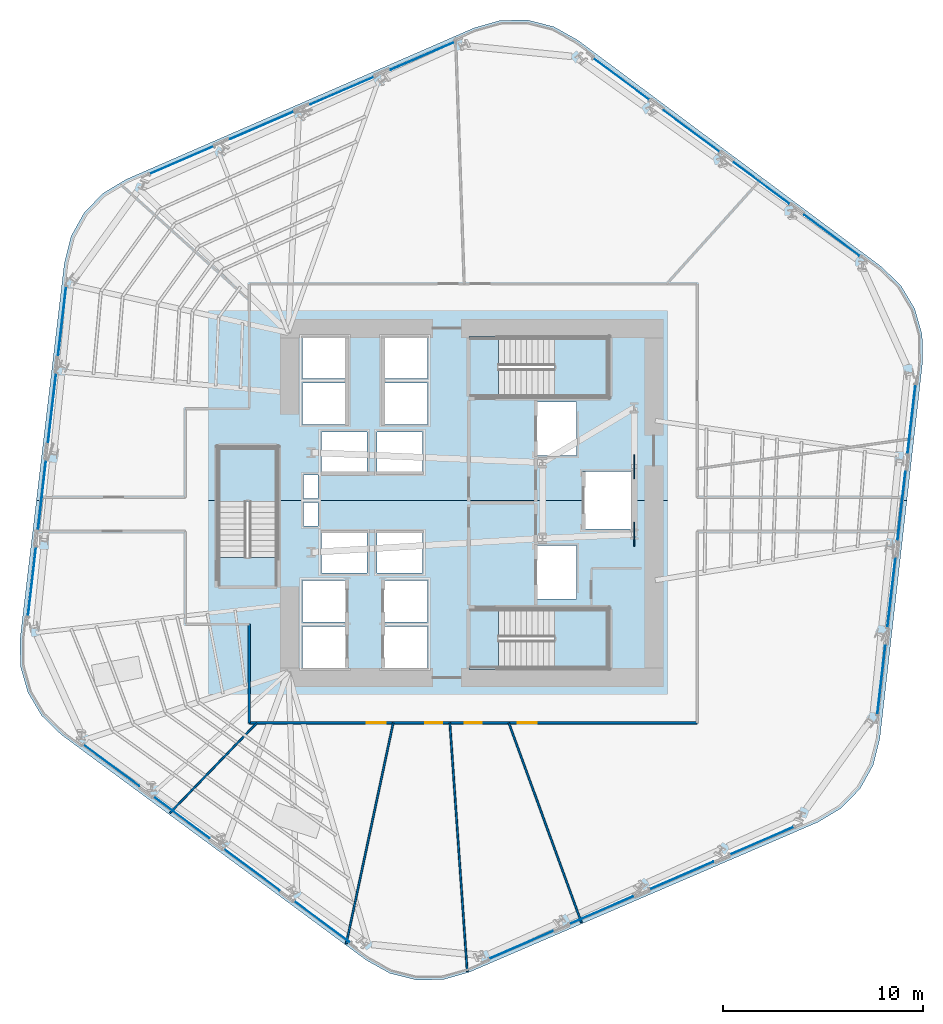
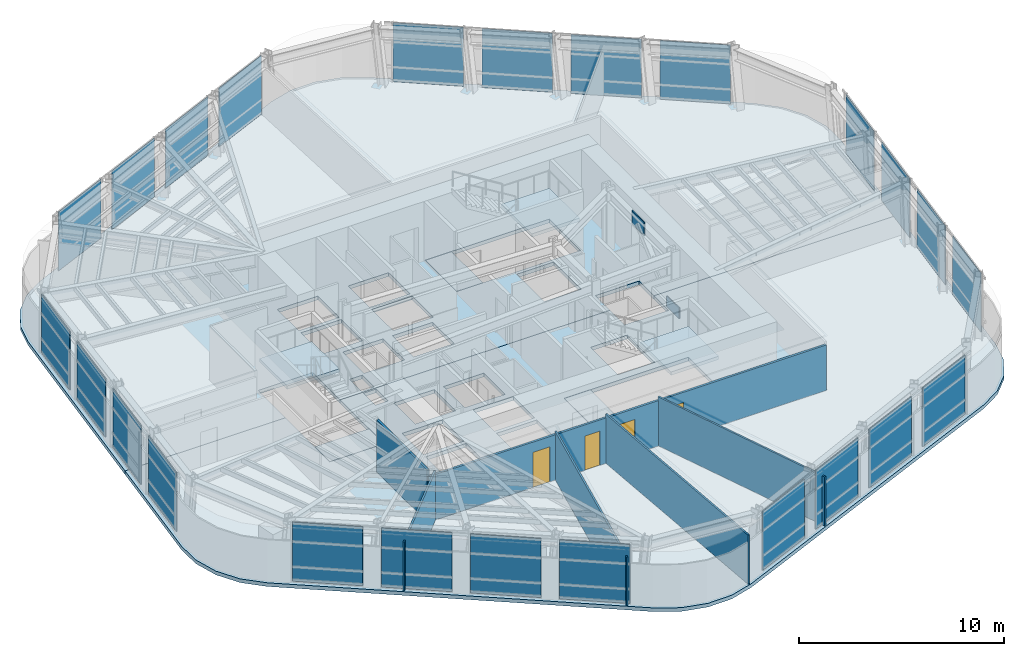
# One storey, part 8 of 16: 26 plates, 8 slabs, 6 walls, 4 doors, 4 openings, 9 elements without a shape of their own.
"""IFC4 building model written with IfcOpenShell, lengths in metres."""

from ifc_helpers import new_model, si_unit, direction, frame, frame_2d, origin, origin_2d, place, context, subcontext, project, spatial, polyline, rectangle, outline, extrude, material, layer, layer_set, type_object, element, fill, aggregate, save


model = new_model("IFC4")

# Units and contexts
model_context = context("Model", 3, precision=1e-05, world=origin(), true_north=direction((0.0, 1.0)))
body_context = subcontext(model_context, "Body", "Model", "MODEL_VIEW")
ifc_project = project(units=[si_unit("LENGTHUNIT", "METRE"), si_unit("AREAUNIT", "SQUARE_METRE"), si_unit("VOLUMEUNIT", "CUBIC_METRE"), si_unit("PLANEANGLEUNIT", "RADIAN"), si_unit("MASSUNIT", "GRAM", prefix="KILO")], contexts=[model_context])

# Site, building, storey
site_placement = place(None, origin())
site = spatial("IfcSite", under=ifc_project, at=site_placement, CompositionType="ELEMENT")
building_placement = place(site_placement, origin())
building = spatial("IfcBuilding", under=site, at=building_placement, Name="Valkerne Bourse Tower", CompositionType="ELEMENT")
storey_placement = place(building_placement, frame((0.0, 0.0, 123.800048828125)))
storey = spatial("IfcBuildingStorey", under=building, at=storey_placement, Name="L31", CompositionType="ELEMENT", Elevation=123.800048828125)

# Curtain wall, plates
ifc_material_1 = material(Name="Aluminium AA 6063-T6", Category="aluminium")
ifc_layer_1 = layer(ifc_material_1, 0.22998046875)
ifc_layer_set_1 = layer_set([ifc_layer_1], Name="Aluminium AA 6063-T6")
curtain_wall_type = type_object("IfcCurtainWallType", Name="CW-02", PredefinedType="NOTDEFINED", material=ifc_layer_set_1)
curtain_wall_1_placement = place(storey_placement, origin())
curtain_wall_1 = element("IfcCurtainWall", 1, at=curtain_wall_1_placement, inside=storey, type_object=curtain_wall_type, Name="L31 Hexagonal Stick Curtain Wall Face 1", PredefinedType="NOTDEFINED")
ifc_material_2 = material(Name="Glass IGU Low-E Double Glazed", Category="glass")
ifc_layer_2 = layer(ifc_material_2, 0.031982421875)
ifc_layer_set_2 = layer_set([ifc_layer_2], Name="Glass IGU Low-E Double Glazed")
plate_type_1 = type_object("IfcPlateType", Name="CW-PNL-IGU-32", PredefinedType="CURTAIN_PANEL", material=ifc_layer_set_2)
plate_1_placement = place(storey_placement, frame((64.853759765625, 40.28271484375, 0.030029296875), z_axis=(0.0, 0.0, 1.0), x_axis=(-0.802819358075, 0.596222339652, 0.0)))
plate_1 = element("IfcPlate", 2, at=plate_1_placement, type_object=plate_type_1, Name="CW-L31-F1 Curtain Panel 00", PredefinedType="CURTAIN_PANEL", context=body_context, shape_type="SweptSolid", body=[
    extrude(rectangle(XDim=3.462890625, YDim=0.031982421875, at=origin_2d()), origin(), (0.0, 0.0, 1.0), 3.52001953125),
])
plate_2_placement = place(storey_placement, frame((61.335205078125, 42.89599609375, 0.030029296875), z_axis=(0.0, 0.0, 1.0), x_axis=(-0.802816547758, 0.596226123753, 0.0)))
plate_2 = element("IfcPlate", 3, at=plate_2_placement, type_object=plate_type_1, Name="CW-L31-F1 Curtain Panel 01", PredefinedType="CURTAIN_PANEL", context=body_context, shape_type="SweptSolid", body=[
    extrude(rectangle(XDim=3.462890625, YDim=0.031982421875, at=origin_2d()), origin(), (0.0, 0.0, 1.0), 3.52001953125),
])
plate_3_placement = place(storey_placement, frame((57.81640625, 45.50927734375, 0.030029296875), z_axis=(0.0, 0.0, 1.0), x_axis=(-0.802819358075, 0.596222339652, 0.0)))
plate_3 = element("IfcPlate", 4, at=plate_3_placement, type_object=plate_type_1, Name="CW-L31-F1 Curtain Panel 02", PredefinedType="CURTAIN_PANEL", context=body_context, shape_type="SweptSolid", body=[
    extrude(rectangle(XDim=3.462890625, YDim=0.031982421875, at=origin_2d()), origin(), (0.0, 0.0, 1.0), 3.52001953125),
])
plate_4_placement = place(storey_placement, frame((54.297607421875, 48.122314453125, 0.030029296875), z_axis=(0.0, 0.0, 1.0), x_axis=(-0.802816547758, 0.596226123753, 0.0)))
plate_4 = element("IfcPlate", 5, at=plate_4_placement, type_object=plate_type_1, Name="CW-L31-F1 Curtain Panel 03", PredefinedType="CURTAIN_PANEL", context=body_context, shape_type="SweptSolid", body=[
    extrude(rectangle(XDim=3.462890625, YDim=0.031982421875, at=origin_2d()), origin(), (0.0, 0.0, 1.0), 3.52001953125),
])
aggregate(curtain_wall_1, [plate_1, plate_2, plate_3, plate_4])

curtain_wall_2_placement = place(storey_placement, origin())
curtain_wall_2 = element("IfcCurtainWall", 6, at=curtain_wall_2_placement, inside=storey, type_object=curtain_wall_type, Name="L31 Hexagonal Stick Curtain Wall Face 2", PredefinedType="NOTDEFINED")
plate_5_placement = place(storey_placement, frame((44.32373046875, 49.2763671875, 0.030029296875), z_axis=(0.0, 0.0, 1.0), x_axis=(-0.917762208724, -0.397130366805, 0.0)))
plate_5 = element("IfcPlate", 7, at=plate_5_placement, type_object=plate_type_1, Name="CW-L31-F2 Curtain Panel 00", PredefinedType="CURTAIN_PANEL", context=body_context, shape_type="SweptSolid", body=[
    extrude(rectangle(XDim=3.462890625, YDim=0.031982421875, at=origin_2d()), origin(), (0.0, 0.0, 1.0), 3.52001953125),
])
plate_6_placement = place(storey_placement, frame((40.30126953125, 47.535888671875, 0.030029296875), z_axis=(0.0, 0.0, 1.0), x_axis=(-0.917753892922, -0.397149583944, 0.0)))
plate_6 = element("IfcPlate", 8, at=plate_6_placement, type_object=plate_type_1, Name="CW-L31-F2 Curtain Panel 01", PredefinedType="CURTAIN_PANEL", context=body_context, shape_type="SweptSolid", body=[
    extrude(rectangle(XDim=3.462890625, YDim=0.031982421875, at=origin_2d()), origin(), (0.0, 0.0, 1.0), 3.52001953125),
])
plate_7_placement = place(storey_placement, frame((36.27880859375, 45.795166015625, 0.030029296875), z_axis=(0.0, 0.0, 1.0), x_axis=(-0.917757491449, -0.397141268177, 0.0)))
plate_7 = element("IfcPlate", 9, at=plate_7_placement, type_object=plate_type_1, Name="CW-L31-F2 Curtain Panel 02", PredefinedType="CURTAIN_PANEL", context=body_context, shape_type="SweptSolid", body=[
    extrude(rectangle(XDim=3.463134765625, YDim=0.031982421875, at=origin_2d()), origin(), (0.0, 0.0, 1.0), 3.52001953125),
])
plate_8_placement = place(storey_placement, frame((32.256103515625, 44.05419921875, 0.030029296875), z_axis=(0.0, 0.0, 1.0), x_axis=(-0.917753892922, -0.397149583944, 0.0)))
plate_8 = element("IfcPlate", 10, at=plate_8_placement, type_object=plate_type_1, Name="CW-L31-F2 Curtain Panel 03", PredefinedType="CURTAIN_PANEL", context=body_context, shape_type="SweptSolid", body=[
    extrude(rectangle(XDim=3.462890625, YDim=0.031982421875, at=origin_2d()), origin(), (0.0, 0.0, 1.0), 3.52001953125),
])
aggregate(curtain_wall_2, [plate_5, plate_6, plate_7, plate_8])

curtain_wall_3_placement = place(storey_placement, origin())
curtain_wall_3 = element("IfcCurtainWall", 11, at=curtain_wall_3_placement, inside=storey, type_object=curtain_wall_type, Name="L31 Hexagonal Stick Curtain Wall Face 3", PredefinedType="NOTDEFINED")
plate_9_placement = place(storey_placement, frame((26.27001953125, 35.993896484375, 0.030029296875), z_axis=(0.0, 0.0, 1.0), x_axis=(-0.114942781596, -0.993372114043, 0.0)))
plate_9 = element("IfcPlate", 12, at=plate_9_placement, type_object=plate_type_1, Name="CW-L31-F3 Curtain Panel 00", PredefinedType="CURTAIN_PANEL", context=body_context, shape_type="SweptSolid", body=[
    extrude(rectangle(XDim=3.463134765625, YDim=0.031982421875, at=origin_2d()), origin(), (0.0, 0.0, 1.0), 3.52001953125),
])
plate_10_placement = place(storey_placement, frame((25.76611328125, 31.639892578125, 0.030029296875), z_axis=(0.0, 0.0, 1.0), x_axis=(-0.114945386711, -0.993371812603, 0.0)))
plate_10 = element("IfcPlate", 13, at=plate_10_placement, type_object=plate_type_1, Name="CW-L31-F3 Curtain Panel 01", PredefinedType="CURTAIN_PANEL", context=body_context, shape_type="SweptSolid", body=[
    extrude(rectangle(XDim=3.462890625, YDim=0.031982421875, at=origin_2d()), origin(), (0.0, 0.0, 1.0), 3.52001953125),
])
plate_11_placement = place(storey_placement, frame((25.262451171875, 27.285888671875, 0.030029296875), z_axis=(0.0, 0.0, 1.0), x_axis=(-0.114920267773, -0.993374718852, 0.0)))
plate_11 = element("IfcPlate", 14, at=plate_11_placement, type_object=plate_type_1, Name="CW-L31-F3 Curtain Panel 02", PredefinedType="CURTAIN_PANEL", context=body_context, shape_type="SweptSolid", body=[
    extrude(rectangle(XDim=3.463134765625, YDim=0.031982421875, at=origin_2d()), origin(), (0.0, 0.0, 1.0), 3.52001953125),
])
plate_12_placement = place(storey_placement, frame((24.758544921875, 22.931884765625, 0.030029296875), z_axis=(0.0, 0.0, 1.0), x_axis=(-0.114945386711, -0.993371812603, 0.0)))
plate_12 = element("IfcPlate", 15, at=plate_12_placement, type_object=plate_type_1, Name="CW-L31-F3 Curtain Panel 03", PredefinedType="CURTAIN_PANEL", context=body_context, shape_type="SweptSolid", body=[
    extrude(rectangle(XDim=3.462890625, YDim=0.031982421875, at=origin_2d()), origin(), (0.0, 0.0, 1.0), 3.52001953125),
])
aggregate(curtain_wall_3, [plate_9, plate_10, plate_11, plate_12])

curtain_wall_4_placement = place(storey_placement, origin())
curtain_wall_4 = element("IfcCurtainWall", 16, at=curtain_wall_4_placement, inside=storey, type_object=curtain_wall_type, Name="L31 Hexagonal Stick Curtain Wall Face 4", PredefinedType="NOTDEFINED")
plate_13_placement = place(storey_placement, frame((28.74609375, 13.71728515625, 0.030029296875), z_axis=(0.0, 0.0, 1.0), x_axis=(0.802819358075, -0.596222339652, 0.0)))
plate_13 = element("IfcPlate", 17, at=plate_13_placement, type_object=plate_type_1, Name="CW-L31-F4 Curtain Panel 00", PredefinedType="CURTAIN_PANEL", context=body_context, shape_type="SweptSolid", body=[
    extrude(rectangle(XDim=3.462890625, YDim=0.031982421875, at=origin_2d()), origin(), (0.0, 0.0, 1.0), 3.52001953125),
])
plate_14_placement = place(storey_placement, frame((32.264892578125, 11.10400390625, 0.030029296875), z_axis=(0.0, 0.0, 1.0), x_axis=(0.802816547758, -0.596226123753, 0.0)))
plate_14 = element("IfcPlate", 18, at=plate_14_placement, type_object=plate_type_1, Name="CW-L31-F4 Curtain Panel 01", PredefinedType="CURTAIN_PANEL", context=body_context, shape_type="SweptSolid", body=[
    extrude(rectangle(XDim=3.462890625, YDim=0.031982421875, at=origin_2d()), origin(), (0.0, 0.0, 1.0), 3.52001953125),
])
plate_15_placement = place(storey_placement, frame((35.78369140625, 8.490966796875, 0.030029296875), z_axis=(0.0, 0.0, 1.0), x_axis=(0.802819358075, -0.596222339652, 0.0)))
plate_15 = element("IfcPlate", 19, at=plate_15_placement, type_object=plate_type_1, Name="CW-L31-F4 Curtain Panel 02", PredefinedType="CURTAIN_PANEL", context=body_context, shape_type="SweptSolid", body=[
    extrude(rectangle(XDim=3.462890625, YDim=0.031982421875, at=origin_2d()), origin(), (0.0, 0.0, 1.0), 3.52001953125),
])
plate_16_placement = place(storey_placement, frame((39.302490234375, 5.877685546875, 0.030029296875), z_axis=(0.0, 0.0, 1.0), x_axis=(0.802816547758, -0.596226123753, 0.0)))
plate_16 = element("IfcPlate", 20, at=plate_16_placement, type_object=plate_type_1, Name="CW-L31-F4 Curtain Panel 03", PredefinedType="CURTAIN_PANEL", context=body_context, shape_type="SweptSolid", body=[
    extrude(rectangle(XDim=3.462890625, YDim=0.031982421875, at=origin_2d()), origin(), (0.0, 0.0, 1.0), 3.52001953125),
])
aggregate(curtain_wall_4, [plate_13, plate_14, plate_15, plate_16])

curtain_wall_5_placement = place(storey_placement, origin())
curtain_wall_5 = element("IfcCurtainWall", 21, at=curtain_wall_5_placement, inside=storey, type_object=curtain_wall_type, Name="L31 Hexagonal Stick Curtain Wall Face 5", PredefinedType="NOTDEFINED")
plate_17_placement = place(storey_placement, frame((49.276123046875, 4.7236328125, 0.030029296875), z_axis=(0.0, 0.0, 1.0), x_axis=(0.917762208724, 0.397130366805, 0.0)))
plate_17 = element("IfcPlate", 22, at=plate_17_placement, type_object=plate_type_1, Name="CW-L31-F5 Curtain Panel 00", PredefinedType="CURTAIN_PANEL", context=body_context, shape_type="SweptSolid", body=[
    extrude(rectangle(XDim=3.462890625, YDim=0.031982421875, at=origin_2d()), origin(), (0.0, 0.0, 1.0), 3.52001953125),
])
plate_18_placement = place(storey_placement, frame((53.298583984375, 6.464111328125, 0.030029296875), z_axis=(0.0, 0.0, 1.0), x_axis=(0.917753892922, 0.397149583944, 0.0)))
plate_18 = element("IfcPlate", 23, at=plate_18_placement, type_object=plate_type_1, Name="CW-L31-F5 Curtain Panel 01", PredefinedType="CURTAIN_PANEL", context=body_context, shape_type="SweptSolid", body=[
    extrude(rectangle(XDim=3.462890625, YDim=0.031982421875, at=origin_2d()), origin(), (0.0, 0.0, 1.0), 3.52001953125),
])
plate_19_placement = place(storey_placement, frame((57.3212890625, 8.205078125, 0.030029296875), z_axis=(0.0, 0.0, 1.0), x_axis=(0.917757491449, 0.397141268177, 0.0)))
plate_19 = element("IfcPlate", 24, at=plate_19_placement, type_object=plate_type_1, Name="CW-L31-F5 Curtain Panel 02", PredefinedType="CURTAIN_PANEL", context=body_context, shape_type="SweptSolid", body=[
    extrude(rectangle(XDim=3.463134765625, YDim=0.031982421875, at=origin_2d()), origin(), (0.0, 0.0, 1.0), 3.52001953125),
])
plate_20_placement = place(storey_placement, frame((61.34375, 9.94580078125, 0.030029296875), z_axis=(0.0, 0.0, 1.0), x_axis=(0.917753892922, 0.397149583944, 0.0)))
plate_20 = element("IfcPlate", 25, at=plate_20_placement, type_object=plate_type_1, Name="CW-L31-F5 Curtain Panel 03", PredefinedType="CURTAIN_PANEL", context=body_context, shape_type="SweptSolid", body=[
    extrude(rectangle(XDim=3.462890625, YDim=0.031982421875, at=origin_2d()), origin(), (0.0, 0.0, 1.0), 3.52001953125),
])
aggregate(curtain_wall_5, [plate_17, plate_18, plate_19, plate_20])

curtain_wall_6_placement = place(storey_placement, origin())
curtain_wall_6 = element("IfcCurtainWall", 26, at=curtain_wall_6_placement, inside=storey, type_object=curtain_wall_type, Name="L31 Hexagonal Stick Curtain Wall Face 6", PredefinedType="NOTDEFINED")
plate_21_placement = place(storey_placement, frame((67.330078125, 18.006103515625, 0.030029296875), z_axis=(0.0, 0.0, 1.0), x_axis=(0.114942781596, 0.993372114043, 0.0)))
plate_21 = element("IfcPlate", 27, at=plate_21_placement, type_object=plate_type_1, Name="CW-L31-F6 Curtain Panel 00", PredefinedType="CURTAIN_PANEL", context=body_context, shape_type="SweptSolid", body=[
    extrude(rectangle(XDim=3.463134765625, YDim=0.031982421875, at=origin_2d()), origin(), (0.0, 0.0, 1.0), 3.52001953125),
])
plate_22_placement = place(storey_placement, frame((67.833740234375, 22.360107421875, 0.030029296875), z_axis=(0.0, 0.0, 1.0), x_axis=(0.114945386711, 0.993371812603, 0.0)))
plate_22 = element("IfcPlate", 28, at=plate_22_placement, type_object=plate_type_1, Name="CW-L31-F6 Curtain Panel 01", PredefinedType="CURTAIN_PANEL", context=body_context, shape_type="SweptSolid", body=[
    extrude(rectangle(XDim=3.462890625, YDim=0.031982421875, at=origin_2d()), origin(), (0.0, 0.0, 1.0), 3.52001953125),
])
plate_23_placement = place(storey_placement, frame((68.337646484375, 26.714111328125, 0.030029296875), z_axis=(0.0, 0.0, 1.0), x_axis=(0.114920267773, 0.993374718852, 0.0)))
plate_23 = element("IfcPlate", 29, at=plate_23_placement, type_object=plate_type_1, Name="CW-L31-F6 Curtain Panel 02", PredefinedType="CURTAIN_PANEL", context=body_context, shape_type="SweptSolid", body=[
    extrude(rectangle(XDim=3.463134765625, YDim=0.031982421875, at=origin_2d()), origin(), (0.0, 0.0, 1.0), 3.52001953125),
])
plate_24_placement = place(storey_placement, frame((68.84130859375, 31.068115234375, 0.030029296875), z_axis=(0.0, 0.0, 1.0), x_axis=(0.114945386711, 0.993371812603, 0.0)))
plate_24 = element("IfcPlate", 30, at=plate_24_placement, type_object=plate_type_1, Name="CW-L31-F6 Curtain Panel 03", PredefinedType="CURTAIN_PANEL", context=body_context, shape_type="SweptSolid", body=[
    extrude(rectangle(XDim=3.462890625, YDim=0.031982421875, at=origin_2d()), origin(), (0.0, 0.0, 1.0), 3.52001953125),
])
aggregate(curtain_wall_6, [plate_21, plate_22, plate_23, plate_24])

# Plates
ifc_material_3 = material(Name="Steel ASTM A572 Grade 50", Category="steel")
ifc_layer_3 = layer(ifc_material_3, 0.06005859375)
ifc_layer_set_3 = layer_set([ifc_layer_3], Name="Steel ASTM A572 Grade 50")
plate_type_2 = type_object("IfcPlateType", Name="PLT-GUS-60", PredefinedType="SHEET", material=ifc_layer_set_3)
for number, where, z_axis, x_axis, name in (
    (31, (54.949951171875, 25.300048828125, -0.18017578125), (0.0, 0.0, 1.0), (0.0, 1.0, 0.0), "L31 Brace Node Gusset Plate PLT-GUS-END-L31-378"),
    (32, (54.949951171875, 28.699951171875, 2.8740234375), (0.0, 0.0, 1.0), (0.0, 1.0, 0.0), "L31 Brace Node Gusset Plate PLT-GUS-END-L31-379"),
):
    element("IfcPlate", number, at=place(storey_placement, frame(where, z_axis=z_axis, x_axis=x_axis)), inside=storey, type_object=plate_type_2, Name=name, PredefinedType="SHEET", context=body_context, shape_type="SweptSolid", body=[
        extrude(rectangle(XDim=1.199951171875, YDim=0.06005859375, at=origin_2d()), origin(), (0.0, 0.0, 1.0), 0.800048828125),
    ])

# Slabs
ifc_material_4 = material(Name="Concrete C40/50", Category="concrete")
ifc_layer_4 = layer(ifc_material_4, 0.25)
ifc_layer_set_4 = layer_set([ifc_layer_4], Name="Concrete C40/50")
slab_type_1 = type_object("IfcSlabType", Name="SLB-RMP-LND-250", PredefinedType="LANDING", material=ifc_layer_set_4)
slab_1_placement = place(storey_placement, frame((0.0, 0.0, -0.219970703125)))
element("IfcSlab", 33, at=slab_1_placement, inside=storey, type_object=slab_type_1, Name="L31 ST-1 Floor Landing Slab", PredefinedType="LANDING", context=body_context, shape_type="SweptSolid", body=[
    extrude(outline(polyline([(46.669921875, 18.5400390625), (48.14990234375, 18.5400390625), (48.14990234375, 21.610107421875), (46.669921875, 21.610107421875), (46.669921875, 18.5400390625)])), origin(), (0.0, 0.0, 1.0), 0.219970703125),
])
slab_2_placement = place(storey_placement, frame((0.0, 0.0, -0.219970703125)))
element("IfcSlab", 34, at=slab_2_placement, inside=storey, type_object=slab_type_1, Name="L31 ST-2 Floor Landing Slab", PredefinedType="LANDING", context=body_context, shape_type="SweptSolid", body=[
    extrude(outline(polyline([(46.669921875, 32.139892578125), (48.14990234375, 32.139892578125), (48.14990234375, 35.2099609375), (46.669921875, 35.2099609375), (46.669921875, 32.139892578125)])), origin(), (0.0, 0.0, 1.0), 0.219970703125),
])
slab_3_placement = place(storey_placement, frame((0.0, 0.0, -0.219970703125)))
element("IfcSlab", 35, at=slab_3_placement, inside=storey, type_object=slab_type_1, Name="L31 ST-3 Floor Landing Slab", PredefinedType="LANDING", context=body_context, shape_type="SweptSolid", body=[
    extrude(outline(polyline([(37.110107421875, 22.669921875), (37.110107421875, 24.14990234375), (34.0400390625, 24.14990234375), (34.0400390625, 22.669921875), (37.110107421875, 22.669921875)])), origin(), (0.0, 0.0, 1.0), 0.219970703125),
])

# Stair, slab
stair_type = type_object("IfcStairType", Name="ST-CORE-1400", PredefinedType="HALF_TURN_STAIR", material=ifc_material_4)
stair_1_placement = place(storey_placement, origin())
stair_1 = element("IfcStair", 36, at=stair_1_placement, inside=storey, type_object=stair_type, Name="L31 ST-1", PredefinedType="HALF_TURN_STAIR")
ifc_layer_5 = layer(ifc_material_4, 0.179931640625)
ifc_layer_set_5 = layer_set([ifc_layer_5], Name="Concrete C40/50")
slab_type_2 = type_object("IfcSlabType", Name="SLB-ST-LND-180", PredefinedType="LANDING", material=ifc_layer_set_5)
slab_4_placement = place(storey_placement, frame((0.0, 0.0, 1.699951171875)))
slab_4 = element("IfcSlab", 37, at=slab_4_placement, type_object=slab_type_2, Name="ST-1 landing 1", PredefinedType="LANDING", context=body_context, shape_type="SweptSolid", body=[
    extrude(outline(polyline([(50.949951171875, 18.60009765625), (53.64990234375, 18.60009765625), (53.64990234375, 21.550048828125), (50.949951171875, 21.550048828125), (50.949951171875, 18.60009765625)])), origin(), (0.0, 0.0, 1.0), 0.199951171875),
])
aggregate(stair_1, [slab_4])

stair_2_placement = place(storey_placement, origin())
stair_2 = element("IfcStair", 38, at=stair_2_placement, inside=storey, type_object=stair_type, Name="L31 ST-2", PredefinedType="HALF_TURN_STAIR")
slab_5_placement = place(storey_placement, frame((0.0, 0.0, 1.699951171875)))
slab_5 = element("IfcSlab", 39, at=slab_5_placement, type_object=slab_type_2, Name="ST-2 landing 1", PredefinedType="LANDING", context=body_context, shape_type="SweptSolid", body=[
    extrude(outline(polyline([(50.949951171875, 32.199951171875), (53.64990234375, 32.199951171875), (53.64990234375, 35.14990234375), (50.949951171875, 35.14990234375), (50.949951171875, 32.199951171875)])), origin(), (0.0, 0.0, 1.0), 0.199951171875),
])
aggregate(stair_2, [slab_5])

stair_3_placement = place(storey_placement, origin())
stair_3 = element("IfcStair", 40, at=stair_3_placement, inside=storey, type_object=stair_type, Name="L31 ST-3", PredefinedType="HALF_TURN_STAIR")
slab_6_placement = place(storey_placement, frame((0.0, 0.0, 1.699951171875)))
slab_6 = element("IfcSlab", 41, at=slab_6_placement, type_object=slab_type_2, Name="ST-3 landing 1", PredefinedType="LANDING", context=body_context, shape_type="SweptSolid", body=[
    extrude(outline(polyline([(37.050048828125, 26.949951171875), (37.050048828125, 29.64990234375), (34.10009765625, 29.64990234375), (34.10009765625, 26.949951171875), (37.050048828125, 26.949951171875)])), origin(), (0.0, 0.0, 1.0), 0.199951171875),
])
aggregate(stair_3, [slab_6])

# Slabs
ifc_layer_6 = layer(ifc_material_4, 0.219970703125)
ifc_layer_set_6 = layer_set([ifc_layer_6], Name="Concrete C40/50")
slab_type_3 = type_object("IfcSlabType", Name="SLB-TOW-220", PredefinedType="FLOOR", material=ifc_layer_set_6)
slab_7_placement = place(storey_placement, frame((0.0, 0.0, -0.219970703125)))
element("IfcSlab", 42, at=slab_7_placement, inside=storey, type_object=slab_type_3, Name="L31 Hexagonal Composite Floor Slab S", PredefinedType="FLOOR", context=body_context, shape_type="SweptSolid", body=[
    extrude(outline(polyline([(66.92236328125, 13.732421875), (66.26220703125, 12.546142578125), (65.3173828125, 11.5712890625), (64.152587890625, 10.874267578125), (46.681884765625, 3.35791015625), (45.376220703125, 2.986083984375), (44.01904296875, 2.96484375), (42.702392578125, 3.29541015625), (41.516357421875, 3.955810546875), (26.223388671875, 15.2626953125), (25.248779296875, 16.20751953125), (24.551513671875, 17.372314453125), (24.1796875, 18.677734375), (24.158203125, 20.03515625), (24.979248046875, 27.0), (34.034912109375, 27.0), (34.034912109375, 22.6650390625), (37.114990234375, 22.6650390625), (37.114990234375, 27.0), (52.360107421875, 27.0), (52.360107421875, 25.56005859375), (54.840087890625, 25.56005859375), (54.840087890625, 27.0), (68.610107421875, 27.0), (67.2529296875, 15.048828125), (66.92236328125, 13.732421875)]), holes=[polyline([(40.590087890625, 20.68994140625), (38.31005859375, 20.68994140625), (38.31005859375, 18.610107421875), (40.590087890625, 18.610107421875), (40.590087890625, 20.68994140625)]), polyline([(40.590087890625, 22.989990234375), (38.31005859375, 22.989990234375), (38.31005859375, 20.909912109375), (40.590087890625, 20.909912109375), (40.590087890625, 22.989990234375)]), polyline([(41.5400390625, 25.43994140625), (39.260009765625, 25.43994140625), (39.260009765625, 23.360107421875), (41.5400390625, 23.360107421875), (41.5400390625, 25.43994140625)]), polyline([(39.10009765625, 25.72998046875), (39.10009765625, 26.89990234375), (38.3798828125, 26.89990234375), (38.3798828125, 25.72998046875), (39.10009765625, 25.72998046875)]), polyline([(44.590087890625, 20.68994140625), (42.31005859375, 20.68994140625), (42.31005859375, 18.610107421875), (44.590087890625, 18.610107421875), (44.590087890625, 20.68994140625)]), polyline([(53.675048828125, 21.614990234375), (46.6650390625, 21.614990234375), (46.6650390625, 18.534912109375), (53.675048828125, 18.534912109375), (53.675048828125, 21.614990234375)]), polyline([(44.590087890625, 22.989990234375), (42.31005859375, 22.989990234375), (42.31005859375, 20.909912109375), (44.590087890625, 20.909912109375), (44.590087890625, 22.989990234375)]), polyline([(52.0400390625, 22.06005859375), (52.0400390625, 24.739990234375), (49.9599609375, 24.739990234375), (49.9599609375, 22.06005859375), (52.0400390625, 22.06005859375)]), polyline([(44.340087890625, 23.360107421875), (44.340087890625, 25.43994140625), (42.06005859375, 25.43994140625), (42.06005859375, 23.360107421875), (44.340087890625, 23.360107421875)])]), origin(), (0.0, 0.0, 1.0), 0.219970703125),
])
slab_8_placement = place(storey_placement, frame((0.0, 0.0, -0.219970703125)))
element("IfcSlab", 43, at=slab_8_placement, inside=storey, type_object=slab_type_3, Name="L31 Hexagonal Composite Floor Slab N", PredefinedType="FLOOR", context=body_context, shape_type="SweptSolid", body=[
    extrude(outline(polyline([(26.384521484375, 38.92333984375), (26.715087890625, 40.239990234375), (27.37548828125, 41.426025390625), (28.320068359375, 42.40087890625), (29.48486328125, 43.097900390625), (46.923583984375, 50.6884765625), (48.22900390625, 51.060302734375), (49.586181640625, 51.08154296875), (50.90283203125, 50.7509765625), (52.089111328125, 50.0908203125), (67.33349609375, 38.71875), (68.30859375, 37.77392578125), (69.005615234375, 36.609130859375), (69.37744140625, 35.3037109375), (69.398681640625, 33.9462890625), (68.610107421875, 27.0), (54.840087890625, 27.0), (54.840087890625, 28.43994140625), (52.360107421875, 28.43994140625), (52.360107421875, 27.0), (37.114990234375, 27.0), (37.114990234375, 29.675048828125), (34.034912109375, 29.675048828125), (34.034912109375, 27.0), (24.979248046875, 27.0), (26.384521484375, 38.92333984375)]), holes=[polyline([(39.10009765625, 28.27001953125), (38.3798828125, 28.27001953125), (38.3798828125, 27.10009765625), (39.10009765625, 27.10009765625), (39.10009765625, 28.27001953125)]), polyline([(41.5400390625, 30.43994140625), (39.260009765625, 30.43994140625), (39.260009765625, 28.360107421875), (41.5400390625, 28.360107421875), (41.5400390625, 30.43994140625)]), polyline([(44.340087890625, 30.43994140625), (42.06005859375, 30.43994140625), (42.06005859375, 28.360107421875), (44.340087890625, 28.360107421875), (44.340087890625, 30.43994140625)]), polyline([(40.590087890625, 30.81005859375), (40.590087890625, 32.889892578125), (38.31005859375, 32.889892578125), (38.31005859375, 30.81005859375), (40.590087890625, 30.81005859375)]), polyline([(40.590087890625, 33.110107421875), (40.590087890625, 35.18994140625), (38.31005859375, 35.18994140625), (38.31005859375, 33.110107421875), (40.590087890625, 33.110107421875)]), polyline([(52.0400390625, 31.93994140625), (49.9599609375, 31.93994140625), (49.9599609375, 29.260009765625), (52.0400390625, 29.260009765625), (52.0400390625, 31.93994140625)]), polyline([(44.590087890625, 32.889892578125), (42.31005859375, 32.889892578125), (42.31005859375, 30.81005859375), (44.590087890625, 30.81005859375), (44.590087890625, 32.889892578125)]), polyline([(53.675048828125, 32.135009765625), (53.675048828125, 35.215087890625), (46.6650390625, 35.215087890625), (46.6650390625, 32.135009765625), (53.675048828125, 32.135009765625)]), polyline([(44.590087890625, 33.110107421875), (44.590087890625, 35.18994140625), (42.31005859375, 35.18994140625), (42.31005859375, 33.110107421875), (44.590087890625, 33.110107421875)])]), origin(), (0.0, 0.0, 1.0), 0.219970703125),
])

# Wall, openings, doors
ifc_material_5 = material(Name="Gypsum Board Steel-Stud Partition", Category="steel")
ifc_layer_7 = layer(ifc_material_5, 0.117919921875)
ifc_layer_set_7 = layer_set([ifc_layer_7], Name="Gypsum Board Steel-Stud Partition")
wall_type_1 = type_object("IfcWallType", Name="W-CORR-140", PredefinedType="PARTITIONING", material=ifc_layer_set_7)
wall_1_placement = place(storey_placement, frame((58.10009765625, 15.85009765625, 0.0), z_axis=(0.0, 0.0, 1.0), x_axis=(-1.0, 0.0, 0.0)))
wall_1 = element("IfcWall", 44, at=wall_1_placement, inside=storey, type_object=wall_type_1, Name="L31 Corridor Enclosure Wall", PredefinedType="PARTITIONING", context=body_context, shape_type="SweptSolid", body=[
    extrude(rectangle(XDim=22.4501953125, YDim=0.117919921875, at=frame_2d((11.22509765625, 0.0))), origin(), (0.0, 0.0, 1.0), 2.71142578125),
])
opening_1_placement = place(wall_1_placement, frame((10.794921875, 0.0, 0.0)))
opening_1 = element("IfcOpeningElement", 45, at=opening_1_placement, cuts=wall_1, Name="Opening D-WC-900", PredefinedType="OPENING", context=body_context, shape_type="SweptSolid", body=[
    extrude(rectangle(XDim=0.860107421875, YDim=2.050048828125, at=frame_2d((0.43017578125, 1.02490234375))), frame((0.0, 0.06884765625, 0.0), z_axis=(0.0, -1.0, 0.0), x_axis=(1.0, 0.0, 0.0)), (0.0, 0.0, 1.0), 0.137939453125),
])
opening_2_placement = place(wall_1_placement, frame((12.77490234375, 0.0, 0.0)))
opening_2 = element("IfcOpeningElement", 46, at=opening_2_placement, cuts=wall_1, Name="Opening D-WC-900", PredefinedType="OPENING", context=body_context, shape_type="SweptSolid", body=[
    extrude(rectangle(XDim=0.860107421875, YDim=2.050048828125, at=frame_2d((0.43017578125, 1.02490234375))), frame((0.0, 0.06884765625, 0.0), z_axis=(0.0, -1.0, 0.0), x_axis=(1.0, 0.0, 0.0)), (0.0, 0.0, 1.0), 0.137939453125),
])
opening_3_placement = place(wall_1_placement, frame((15.610107421875, 0.0, 0.0)))
opening_3 = element("IfcOpeningElement", 47, at=opening_3_placement, cuts=wall_1, Name="Opening D-OF-950", PredefinedType="OPENING", context=body_context, shape_type="SweptSolid", body=[
    extrude(rectangle(XDim=0.949951171875, YDim=2.10009765625, at=frame_2d((0.47509765625, 1.050048828125))), frame((0.0, 0.06884765625, 0.0), z_axis=(0.0, -1.0, 0.0), x_axis=(1.0, 0.0, 0.0)), (0.0, 0.0, 1.0), 0.137939453125),
])
opening_4_placement = place(wall_1_placement, frame((8.050048828125, 0.0, 0.0)))
opening_4 = element("IfcOpeningElement", 48, at=opening_4_placement, cuts=wall_1, Name="Opening D-OF-950", PredefinedType="OPENING", context=body_context, shape_type="SweptSolid", body=[
    extrude(rectangle(XDim=0.949951171875, YDim=2.10009765625, at=frame_2d((0.47509765625, 1.050048828125))), frame((0.0, 0.06884765625, 0.0), z_axis=(0.0, -1.0, 0.0), x_axis=(1.0, 0.0, 0.0)), (0.0, 0.0, 1.0), 0.137939453125),
])
ifc_material_6 = material(Name="Architectural White Oak Timber", Category="wood")
door_type_1 = type_object("IfcDoorType", Name="DR-OFF-950", OperationType="NOTDEFINED", PredefinedType="DOOR", material=ifc_material_6)
door_1_placement = place(opening_3_placement, origin())
door_1 = element("IfcDoor", 49, at=door_1_placement, inside=storey, type_object=door_type_1, Name="L31 L31 Member Collaboration Club Salon 3 Door", OperationType="SINGLE_SWING_RIGHT", OverallHeight=2.10009765625, OverallWidth=0.949951171875, PredefinedType="DOOR", context=body_context, shape_type="SweptSolid", body=[
    extrude(rectangle(XDim=0.949951171875, YDim=2.10009765625, at=frame_2d((0.47509765625, 1.050048828125))), frame((0.0, 0.02490234375, 0.0), z_axis=(0.0, -1.0, 0.0), x_axis=(1.0, 0.0, 0.0)), (0.0, 0.0, 1.0), 0.050048828125),
])
fill(opening_3, door_1)
door_2_placement = place(opening_4_placement, origin())
door_2 = element("IfcDoor", 50, at=door_2_placement, inside=storey, type_object=door_type_1, Name="L31 L31 Hospitality Catering Kitchen 9 Door", OperationType="SINGLE_SWING_LEFT", OverallHeight=2.10009765625, OverallWidth=0.949951171875, PredefinedType="DOOR", context=body_context, shape_type="SweptSolid", body=[
    extrude(rectangle(XDim=0.949951171875, YDim=2.10009765625, at=frame_2d((0.47509765625, 1.050048828125))), frame((0.0, 0.02490234375, 0.0), z_axis=(0.0, -1.0, 0.0), x_axis=(1.0, 0.0, 0.0)), (0.0, 0.0, 1.0), 0.050048828125),
])
fill(opening_4, door_2)
door_type_2 = type_object("IfcDoorType", Name="DR-WC-900", OperationType="NOTDEFINED", PredefinedType="DOOR", material=ifc_material_6)
door_3_placement = place(opening_1_placement, origin())
door_3 = element("IfcDoor", 51, at=door_3_placement, inside=storey, type_object=door_type_2, Name="L31 L31 Men Bathroom WC 1 Door", OperationType="SINGLE_SWING_RIGHT", OverallHeight=2.050048828125, OverallWidth=0.860107421875, PredefinedType="DOOR", context=body_context, shape_type="SweptSolid", body=[
    extrude(rectangle(XDim=0.860107421875, YDim=2.050048828125, at=frame_2d((0.43017578125, 1.02490234375))), frame((0.0, 0.02490234375, 0.0), z_axis=(0.0, -1.0, 0.0), x_axis=(1.0, 0.0, 0.0)), (0.0, 0.0, 1.0), 0.050048828125),
])
fill(opening_1, door_3)
door_4_placement = place(opening_2_placement, origin())
door_4 = element("IfcDoor", 52, at=door_4_placement, inside=storey, type_object=door_type_2, Name="L31 L31 Women Restroom & Shower WC 2 Door", OperationType="SINGLE_SWING_RIGHT", OverallHeight=2.050048828125, OverallWidth=0.860107421875, PredefinedType="DOOR", context=body_context, shape_type="SweptSolid", body=[
    extrude(rectangle(XDim=0.860107421875, YDim=2.050048828125, at=frame_2d((0.43017578125, 1.02490234375))), frame((0.0, 0.02490234375, 0.0), z_axis=(0.0, -1.0, 0.0), x_axis=(1.0, 0.0, 0.0)), (0.0, 0.0, 1.0), 0.050048828125),
])
fill(opening_2, door_4)

# Walls
wall_2_placement = place(storey_placement, frame((35.64990234375, 15.85009765625, 0.0), z_axis=(0.0, 0.0, 1.0), x_axis=(0.0, 1.0, 0.0)))
element("IfcWall", 53, at=wall_2_placement, inside=storey, type_object=wall_type_1, Name="L31 Corridor Enclosure Wall", PredefinedType="PARTITIONING", context=body_context, shape_type="SweptSolid", body=[
    extrude(rectangle(XDim=4.949951171875, YDim=0.117919921875, at=frame_2d((2.47509765625, 0.0))), origin(), (0.0, 0.0, 1.0), 3.107666015625),
])
ifc_layer_8 = layer(ifc_material_5, 0.092041015625)
ifc_layer_set_8 = layer_set([ifc_layer_8], Name="Gypsum Board Steel-Stud Partition")
wall_type_2 = type_object("IfcWallType", Name="W-PART-115", PredefinedType="PARTITIONING", material=ifc_layer_set_8)
wall_3_placement = place(storey_placement, frame((42.86279296875, 15.844970703125, 0.0), z_axis=(0.0, 0.0, 1.0), x_axis=(-0.207915569722, -0.978146776239, 0.0)))
element("IfcWall", 54, at=wall_3_placement, inside=storey, type_object=wall_type_2, Name="L31 Suite Partition P01", PredefinedType="PARTITIONING", context=body_context, shape_type="SweptSolid", body=[
    extrude(rectangle(XDim=11.306640625, YDim=0.092041015625, at=frame_2d((5.6533203125, 0.0))), origin(), (0.0, 0.0, 1.0), 2.87646484375),
])
wall_4_placement = place(storey_placement, frame((45.703125, 15.844970703125, 0.0), z_axis=(0.0, 0.0, 1.0), x_axis=(0.069765836293, -0.997563395522, 0.0)))
element("IfcWall", 55, at=wall_4_placement, inside=storey, type_object=wall_type_2, Name="L31 Suite Partition P02", PredefinedType="PARTITIONING", context=body_context, shape_type="SweptSolid", body=[
    extrude(rectangle(XDim=12.4755859375, YDim=0.092041015625, at=frame_2d((6.23779296875, 0.0))), origin(), (0.0, 0.0, 1.0), 2.92236328125),
])
wall_5_placement = place(storey_placement, frame((48.65966796875, 15.844970703125, 0.0), z_axis=(0.0, 0.0, 1.0), x_axis=(0.342028708306, -0.939689503344, 0.0)))
element("IfcWall", 56, at=wall_5_placement, inside=storey, type_object=wall_type_2, Name="L31 Suite Partition P03", PredefinedType="PARTITIONING", context=body_context, shape_type="SweptSolid", body=[
    extrude(rectangle(XDim=10.636474609375, YDim=0.092041015625, at=frame_2d((5.318359375, 0.0))), origin(), (0.0, 0.0, 1.0), 2.92236328125),
])
wall_6_placement = place(storey_placement, frame((36.027587890625, 15.844970703125, 0.0), z_axis=(0.0, 0.0, 1.0), x_axis=(-0.694657636984, -0.719340508647, 0.0)))
element("IfcWall", 57, at=wall_6_placement, inside=storey, type_object=wall_type_2, Name="L31 Suite Partition P09", PredefinedType="PARTITIONING", context=body_context, shape_type="SweptSolid", body=[
    extrude(rectangle(XDim=6.28076171875, YDim=0.092041015625, at=frame_2d((3.140380859375, 0.0))), origin(), (0.0, 0.0, 1.0), 2.92236328125),
])

save(model, "model.ifc")
